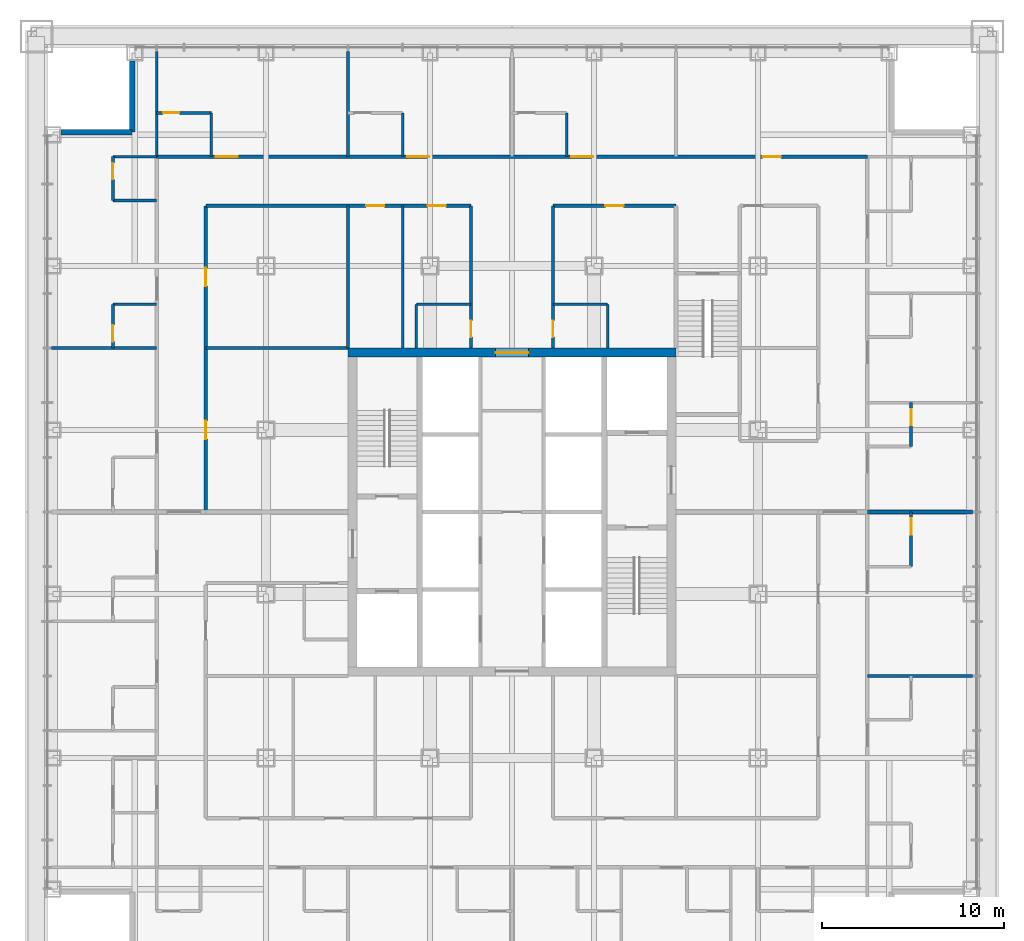
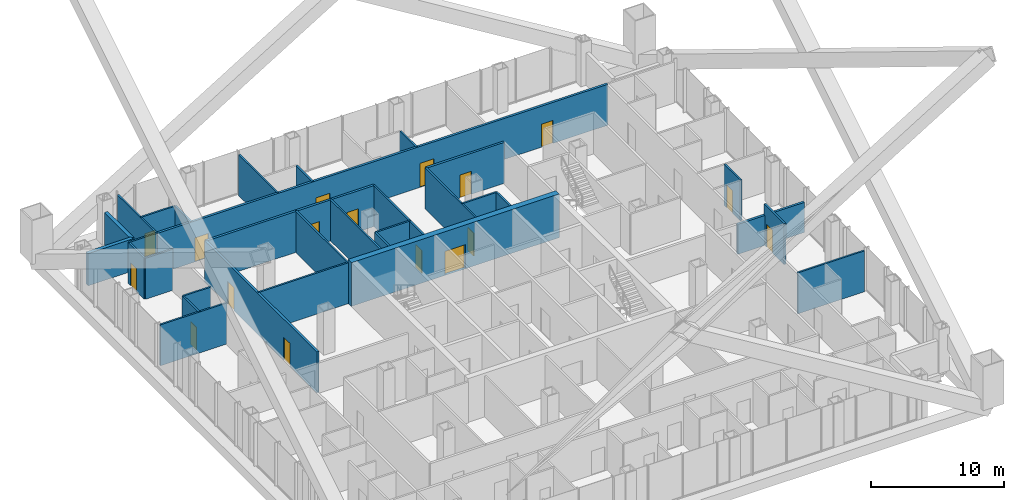
# One storey, part 15 of 21: 32 walls, 17 doors, 17 openings.
"""IFC4 building model written with IfcOpenShell, lengths in metres."""

from ifc_helpers import new_model, si_unit, direction, frame, frame_2d, origin, place, context, subcontext, project, spatial, rectangle, extrude, material, layer, layer_set, type_object, element, fill, save


model = new_model("IFC4")

# Units and contexts
model_context = context("Model", 3, precision=1e-05, world=origin(), true_north=direction((0.0, 1.0)))
body_context = subcontext(model_context, "Body", "Model", "MODEL_VIEW")
ifc_project = project(units=[si_unit("LENGTHUNIT", "METRE"), si_unit("AREAUNIT", "SQUARE_METRE"), si_unit("VOLUMEUNIT", "CUBIC_METRE"), si_unit("PLANEANGLEUNIT", "RADIAN"), si_unit("MASSUNIT", "GRAM", prefix="KILO")], contexts=[model_context])

# Site, building, storey
site_placement = place(None, origin())
site = spatial("IfcSite", under=ifc_project, at=site_placement, CompositionType="ELEMENT")
building_placement = place(site_placement, origin())
building = spatial("IfcBuilding", under=site, at=building_placement, Name="Malebo Sky Hospital", CompositionType="ELEMENT")
storey_placement = place(building_placement, frame((0.0, 0.0, 31.0)))
storey = spatial("IfcBuildingStorey", under=building, at=storey_placement, Name="L06", CompositionType="ELEMENT", Elevation=31.0)

# Wall, opening, door
ifc_material_1 = material(Name="Concrete C80/95", Category="concrete")
ifc_layer_1 = layer(ifc_material_1, 0.5)
ifc_layer_set_1 = layer_set([ifc_layer_1], Name="CORE WALL 500")
wall_type_1 = type_object("IfcWallType", Name="CORE WALL 500", PredefinedType="SHEAR", material=ifc_layer_set_1)
wall_1_placement = place(storey_placement, frame((51.0, 70.75, 0.0), z_axis=(0.0, 0.0, 1.0), x_axis=(1.0, 0.0, 0.0)))
wall_1 = element("IfcWall", 1, at=wall_1_placement, inside=storey, type_object=wall_type_1, Name="Core wall N L06", PredefinedType="SHEAR", context=body_context, shape_type="SweptSolid", body=[
    extrude(rectangle(XDim=18.0, YDim=0.5, at=frame_2d((9.0, 0.0))), origin(), (0.0, 0.0, 1.0), 4.0),
])
opening_1_placement = place(wall_1_placement, frame((8.10009765625, 0.0, 0.0)))
opening_1 = element("IfcOpeningElement", 2, at=opening_1_placement, cuts=wall_1, Name="Opening D06", PredefinedType="OPENING", context=body_context, shape_type="SweptSolid", body=[
    extrude(rectangle(XDim=1.800048828125, YDim=2.199951171875, at=frame_2d((0.89990234375, 1.10009765625))), frame((0.0, 0.260009765625, 0.0), z_axis=(0.0, -1.0, 0.0), x_axis=(1.0, 0.0, 0.0)), (0.0, 0.0, 1.0), 0.52001953125),
])
ifc_material_2 = material(Name="Hardwood-faced door leaf in steel frame", Category="steel")
door_type_1 = type_object("IfcDoorType", Name="LOBBY DOOR PAIR 1800", OperationType="DOUBLE_DOOR_SINGLE_SWING", PredefinedType="DOOR", material=ifc_material_2)
door_1_placement = place(opening_1_placement, origin())
door_1 = element("IfcDoor", 3, at=door_1_placement, inside=storey, type_object=door_type_1, Name="vending room door north", OperationType="DOUBLE_DOOR_SINGLE_SWING", OverallHeight=2.199951171875, OverallWidth=1.800048828125, PredefinedType="DOOR", context=body_context, shape_type="SweptSolid", body=[
    extrude(rectangle(XDim=1.800048828125, YDim=2.199951171875, at=frame_2d((0.89990234375, 1.10009765625))), frame((0.0, 0.02490234375, 0.0), z_axis=(0.0, -1.0, 0.0), x_axis=(1.0, 0.0, 0.0)), (0.0, 0.0, 1.0), 0.050048828125),
])
fill(opening_1, door_1)

# Wall, openings, doors
ifc_material_3 = material(Name="Gypsum board on steel studs", Category="steel")
ifc_layer_2 = layer(ifc_material_3, 0.199951171875)
ifc_layer_set_2 = layer_set([ifc_layer_2], Name="CORRIDOR WALL 200")
wall_type_2 = type_object("IfcWallType", Name="CORRIDOR WALL 200", PredefinedType="PARTITIONING", material=ifc_layer_set_2)
wall_2_placement = place(storey_placement, frame((40.5, 81.5, 0.0), z_axis=(0.0, 0.0, 1.0), x_axis=(1.0, 0.0, 0.0)))
wall_2 = element("IfcWall", 4, at=wall_2_placement, inside=storey, type_object=wall_type_2, Name="Corridor Wall 200 NCO", PredefinedType="PARTITIONING", context=body_context, shape_type="SweptSolid", body=[
    extrude(rectangle(XDim=39.0, YDim=0.199951171875, at=frame_2d((19.5, 0.0))), origin(), (0.0, 0.0, 1.0), 3.75),
])
opening_2_placement = place(wall_2_placement, frame((3.25, 0.0, 0.0)))
opening_2 = element("IfcOpeningElement", 5, at=opening_2_placement, cuts=wall_2, Name="Opening D01", PredefinedType="OPENING", context=body_context, shape_type="SweptSolid", body=[
    extrude(rectangle(XDim=1.199951171875, YDim=2.199951171875, at=frame_2d((0.60009765625, 1.10009765625))), frame((0.0, 0.10986328125, 0.0), z_axis=(0.0, -1.0, 0.0), x_axis=(1.0, 0.0, 0.0)), (0.0, 0.0, 1.0), 0.219970703125),
])
opening_3_placement = place(wall_2_placement, frame((13.75, 0.0, 0.0)))
opening_3 = element("IfcOpeningElement", 6, at=opening_3_placement, cuts=wall_2, Name="Opening D01", PredefinedType="OPENING", context=body_context, shape_type="SweptSolid", body=[
    extrude(rectangle(XDim=1.199951171875, YDim=2.199951171875, at=frame_2d((0.60009765625, 1.10009765625))), frame((0.0, 0.10986328125, 0.0), z_axis=(0.0, -1.0, 0.0), x_axis=(1.0, 0.0, 0.0)), (0.0, 0.0, 1.0), 0.219970703125),
])
opening_4_placement = place(wall_2_placement, frame((22.75, 0.0, 0.0)))
opening_4 = element("IfcOpeningElement", 7, at=opening_4_placement, cuts=wall_2, Name="Opening D01", PredefinedType="OPENING", context=body_context, shape_type="SweptSolid", body=[
    extrude(rectangle(XDim=1.199951171875, YDim=2.199951171875, at=frame_2d((0.60009765625, 1.10009765625))), frame((0.0, 0.10986328125, 0.0), z_axis=(0.0, -1.0, 0.0), x_axis=(1.0, 0.0, 0.0)), (0.0, 0.0, 1.0), 0.219970703125),
])
opening_5_placement = place(wall_2_placement, frame((33.25, 0.0, 0.0)))
opening_5 = element("IfcOpeningElement", 8, at=opening_5_placement, cuts=wall_2, Name="Opening D03", PredefinedType="OPENING", context=body_context, shape_type="SweptSolid", body=[
    extrude(rectangle(XDim=1.0, YDim=2.10009765625, at=frame_2d((0.5, 1.050048828125))), frame((0.0, 0.10986328125, 0.0), z_axis=(0.0, -1.0, 0.0), x_axis=(1.0, 0.0, 0.0)), (0.0, 0.0, 1.0), 0.219970703125),
])
door_type_2 = type_object("IfcDoorType", Name="BED DOOR 1200", OperationType="SINGLE_SWING_LEFT", PredefinedType="DOOR", material=ifc_material_2)
door_2_placement = place(opening_2_placement, origin())
door_2 = element("IfcDoor", 9, at=door_2_placement, inside=storey, type_object=door_type_2, Name="Observation bay door", OperationType="SINGLE_SWING_LEFT", OverallHeight=2.199951171875, OverallWidth=1.199951171875, PredefinedType="DOOR", context=body_context, shape_type="SweptSolid", body=[
    extrude(rectangle(XDim=1.199951171875, YDim=2.199951171875, at=frame_2d((0.60009765625, 1.10009765625))), frame((0.0, 0.02490234375, 0.0), z_axis=(0.0, -1.0, 0.0), x_axis=(1.0, 0.0, 0.0)), (0.0, 0.0, 1.0), 0.050048828125),
])
fill(opening_2, door_2)
door_3_placement = place(opening_3_placement, origin())
door_3 = element("IfcDoor", 10, at=door_3_placement, inside=storey, type_object=door_type_2, Name="Two-bed room door", OperationType="SINGLE_SWING_LEFT", OverallHeight=2.199951171875, OverallWidth=1.199951171875, PredefinedType="DOOR", context=body_context, shape_type="SweptSolid", body=[
    extrude(rectangle(XDim=1.199951171875, YDim=2.199951171875, at=frame_2d((0.60009765625, 1.10009765625))), frame((0.0, 0.02490234375, 0.0), z_axis=(0.0, -1.0, 0.0), x_axis=(1.0, 0.0, 0.0)), (0.0, 0.0, 1.0), 0.050048828125),
])
fill(opening_3, door_3)
door_4_placement = place(opening_4_placement, origin())
door_4 = element("IfcDoor", 11, at=door_4_placement, inside=storey, type_object=door_type_2, Name="Two-bed room door", OperationType="SINGLE_SWING_LEFT", OverallHeight=2.199951171875, OverallWidth=1.199951171875, PredefinedType="DOOR", context=body_context, shape_type="SweptSolid", body=[
    extrude(rectangle(XDim=1.199951171875, YDim=2.199951171875, at=frame_2d((0.60009765625, 1.10009765625))), frame((0.0, 0.02490234375, 0.0), z_axis=(0.0, -1.0, 0.0), x_axis=(1.0, 0.0, 0.0)), (0.0, 0.0, 1.0), 0.050048828125),
])
fill(opening_4, door_4)
door_type_3 = type_object("IfcDoorType", Name="ROOM DOOR 1000", OperationType="SINGLE_SWING_LEFT", PredefinedType="DOOR", material=ifc_material_2)
door_5_placement = place(opening_5_placement, origin())
door_5 = element("IfcDoor", 12, at=door_5_placement, inside=storey, type_object=door_type_3, Name="Patient day room door", OperationType="SINGLE_SWING_RIGHT", OverallHeight=2.10009765625, OverallWidth=1.0, PredefinedType="DOOR", context=body_context, shape_type="SweptSolid", body=[
    extrude(rectangle(XDim=1.0, YDim=2.10009765625, at=frame_2d((0.5, 1.050048828125))), frame((0.0, 0.02490234375, 0.0), z_axis=(0.0, -1.0, 0.0), x_axis=(1.0, 0.0, 0.0)), (0.0, 0.0, 1.0), 0.050048828125),
])
fill(opening_5, door_5)

wall_3_placement = place(storey_placement, frame((43.199951171875, 78.800048828125, 0.0), z_axis=(0.0, 0.0, 1.0), x_axis=(1.0, 0.0, 0.0)))
wall_3 = element("IfcWall", 13, at=wall_3_placement, inside=storey, type_object=wall_type_2, Name="Corridor Wall 200 NCI1", PredefinedType="PARTITIONING", context=body_context, shape_type="SweptSolid", body=[
    extrude(rectangle(XDim=14.550048828125, YDim=0.199951171875, at=frame_2d((7.27490234375, 0.0))), origin(), (0.0, 0.0, 1.0), 3.75),
])
opening_6_placement = place(wall_3_placement, frame((8.800048828125, 0.0, 0.0)))
opening_6 = element("IfcOpeningElement", 14, at=opening_6_placement, cuts=wall_3, Name="Opening D03", PredefinedType="OPENING", context=body_context, shape_type="SweptSolid", body=[
    extrude(rectangle(XDim=1.0, YDim=2.10009765625, at=frame_2d((0.5, 1.050048828125))), frame((0.0, 0.10986328125, 0.0), z_axis=(0.0, -1.0, 0.0), x_axis=(1.0, 0.0, 0.0)), (0.0, 0.0, 1.0), 0.219970703125),
])
opening_7_placement = place(wall_3_placement, frame((12.175048828125, 0.0, 0.0)))
opening_7 = element("IfcOpeningElement", 15, at=opening_7_placement, cuts=wall_3, Name="Opening D03", PredefinedType="OPENING", context=body_context, shape_type="SweptSolid", body=[
    extrude(rectangle(XDim=1.0, YDim=2.10009765625, at=frame_2d((0.5, 1.050048828125))), frame((0.0, 0.10986328125, 0.0), z_axis=(0.0, -1.0, 0.0), x_axis=(1.0, 0.0, 0.0)), (0.0, 0.0, 1.0), 0.219970703125),
])
door_6_placement = place(opening_6_placement, origin())
door_6 = element("IfcDoor", 16, at=door_6_placement, inside=storey, type_object=door_type_3, Name="Medication room door", OperationType="SINGLE_SWING_LEFT", OverallHeight=2.10009765625, OverallWidth=1.0, PredefinedType="DOOR", context=body_context, shape_type="SweptSolid", body=[
    extrude(rectangle(XDim=1.0, YDim=2.10009765625, at=frame_2d((0.5, 1.050048828125))), frame((0.0, 0.02490234375, 0.0), z_axis=(0.0, -1.0, 0.0), x_axis=(1.0, 0.0, 0.0)), (0.0, 0.0, 1.0), 0.050048828125),
])
fill(opening_6, door_6)
door_7_placement = place(opening_7_placement, origin())
door_7 = element("IfcDoor", 17, at=door_7_placement, inside=storey, type_object=door_type_3, Name="Linen store door", OperationType="SINGLE_SWING_LEFT", OverallHeight=2.10009765625, OverallWidth=1.0, PredefinedType="DOOR", context=body_context, shape_type="SweptSolid", body=[
    extrude(rectangle(XDim=1.0, YDim=2.10009765625, at=frame_2d((0.5, 1.050048828125))), frame((0.0, 0.02490234375, 0.0), z_axis=(0.0, -1.0, 0.0), x_axis=(1.0, 0.0, 0.0)), (0.0, 0.0, 1.0), 0.050048828125),
])
fill(opening_7, door_7)

# Wall, opening, door
wall_4_placement = place(storey_placement, frame((62.25, 78.800048828125, 0.0), z_axis=(0.0, 0.0, 1.0), x_axis=(1.0, 0.0, 0.0)))
wall_4 = element("IfcWall", 18, at=wall_4_placement, inside=storey, type_object=wall_type_2, Name="Corridor Wall 200 NCI2", PredefinedType="PARTITIONING", context=body_context, shape_type="SweptSolid", body=[
    extrude(rectangle(XDim=6.75, YDim=0.199951171875, at=frame_2d((3.375, 0.0))), origin(), (0.0, 0.0, 1.0), 3.75),
])
opening_8_placement = place(wall_4_placement, frame((2.875, 0.0, 0.0)))
opening_8 = element("IfcOpeningElement", 19, at=opening_8_placement, cuts=wall_4, Name="Opening D03", PredefinedType="OPENING", context=body_context, shape_type="SweptSolid", body=[
    extrude(rectangle(XDim=1.0, YDim=2.10009765625, at=frame_2d((0.5, 1.050048828125))), frame((0.0, 0.10986328125, 0.0), z_axis=(0.0, -1.0, 0.0), x_axis=(1.0, 0.0, 0.0)), (0.0, 0.0, 1.0), 0.219970703125),
])
door_8_placement = place(opening_8_placement, origin())
door_8 = element("IfcDoor", 20, at=door_8_placement, inside=storey, type_object=door_type_3, Name="Patient assessment room door", OperationType="SINGLE_SWING_RIGHT", OverallHeight=2.10009765625, OverallWidth=1.0, PredefinedType="DOOR", context=body_context, shape_type="SweptSolid", body=[
    extrude(rectangle(XDim=1.0, YDim=2.10009765625, at=frame_2d((0.5, 1.050048828125))), frame((0.0, 0.02490234375, 0.0), z_axis=(0.0, -1.0, 0.0), x_axis=(1.0, 0.0, 0.0)), (0.0, 0.0, 1.0), 0.050048828125),
])
fill(opening_8, door_8)

# Wall, openings, doors
wall_5_placement = place(storey_placement, frame((43.199951171875, 62.0, 0.0), z_axis=(0.0, 0.0, 1.0), x_axis=(0.0, 1.0, 0.0)))
wall_5 = element("IfcWall", 21, at=wall_5_placement, inside=storey, type_object=wall_type_2, Name="Corridor Wall 200 WCI2", PredefinedType="PARTITIONING", context=body_context, shape_type="SweptSolid", body=[
    extrude(rectangle(XDim=16.800048828125, YDim=0.199951171875, at=frame_2d((8.39990234375, 0.0))), origin(), (0.0, 0.0, 1.0), 3.75),
])
opening_9_placement = place(wall_5_placement, frame((4.0, 0.0, 0.0)))
opening_9 = element("IfcOpeningElement", 22, at=opening_9_placement, cuts=wall_5, Name="Opening D03", PredefinedType="OPENING", context=body_context, shape_type="SweptSolid", body=[
    extrude(rectangle(XDim=1.0, YDim=2.10009765625, at=frame_2d((0.5, 1.050048828125))), frame((0.0, 0.10986328125, 0.0), z_axis=(0.0, -1.0, 0.0), x_axis=(1.0, 0.0, 0.0)), (0.0, 0.0, 1.0), 0.219970703125),
])
opening_10_placement = place(wall_5_placement, frame((12.39990234375, 0.0, 0.0)))
opening_10 = element("IfcOpeningElement", 23, at=opening_10_placement, cuts=wall_5, Name="Opening D03", PredefinedType="OPENING", context=body_context, shape_type="SweptSolid", body=[
    extrude(rectangle(XDim=1.0, YDim=2.10009765625, at=frame_2d((0.5, 1.050048828125))), frame((0.0, 0.10986328125, 0.0), z_axis=(0.0, -1.0, 0.0), x_axis=(1.0, 0.0, 0.0)), (0.0, 0.0, 1.0), 0.219970703125),
])
door_9_placement = place(opening_9_placement, origin())
door_9 = element("IfcDoor", 24, at=door_9_placement, inside=storey, type_object=door_type_3, Name="Nurse station door", OperationType="SINGLE_SWING_LEFT", OverallHeight=2.10009765625, OverallWidth=1.0, PredefinedType="DOOR", context=body_context, shape_type="SweptSolid", body=[
    extrude(rectangle(XDim=1.0, YDim=2.10009765625, at=frame_2d((0.5, 1.050048828125))), frame((0.0, 0.02490234375, 0.0), z_axis=(0.0, -1.0, 0.0), x_axis=(1.0, 0.0, 0.0)), (0.0, 0.0, 1.0), 0.050048828125),
])
fill(opening_9, door_9)
door_10_placement = place(opening_10_placement, origin())
door_10 = element("IfcDoor", 25, at=door_10_placement, inside=storey, type_object=door_type_3, Name="Consulting room door", OperationType="SINGLE_SWING_RIGHT", OverallHeight=2.10009765625, OverallWidth=1.0, PredefinedType="DOOR", context=body_context, shape_type="SweptSolid", body=[
    extrude(rectangle(XDim=1.0, YDim=2.10009765625, at=frame_2d((0.5, 1.050048828125))), frame((0.0, 0.02490234375, 0.0), z_axis=(0.0, -1.0, 0.0), x_axis=(1.0, 0.0, 0.0)), (0.0, 0.0, 1.0), 0.050048828125),
])
fill(opening_10, door_10)

# Walls
ifc_material_4 = material(Name="Anodised aluminium rainscreen on steel framing", Category="steel")
ifc_layer_3 = layer(ifc_material_4, 0.300048828125)
ifc_layer_set_3 = layer_set([ifc_layer_3], Name="NOTCH RAINSCREEN WALL 300")
wall_type_3 = type_object("IfcWallType", Name="NOTCH RAINSCREEN WALL 300", PredefinedType="ELEMENTEDWALL", material=ifc_layer_set_3)
for number, where, z_axis, x_axis, name in (
    (26, (35.25, 82.85009765625, 0.0), (0.0, 0.0, 1.0), (1.0, 0.0, 0.0), "Notch rainscreen wall W1 L06"),
    (27, (39.14990234375, 82.85009765625, 0.0), (0.0, 0.0, 1.0), (0.0, 1.0, 0.0), "Notch rainscreen wall W2 L06"),
):
    element("IfcWall", number, at=place(storey_placement, frame(where, z_axis=z_axis, x_axis=x_axis)), inside=storey, type_object=wall_type_3, Name=name, PredefinedType="ELEMENTEDWALL", context=body_context, shape_type="SweptSolid", body=[
        extrude(rectangle(XDim=3.89990234375, YDim=0.300048828125, at=frame_2d((1.949951171875, 0.0))), origin(), (0.0, 0.0, 1.0), 2.949951171875),
    ])
ifc_layer_4 = layer(ifc_material_3, 0.14990234375)
ifc_layer_set_4 = layer_set([ifc_layer_4], Name="PARTITION 150")
wall_type_4 = type_object("IfcWallType", Name="PARTITION 150", PredefinedType="PARTITIONING", material=ifc_layer_set_4)
for number, where, z_axis, x_axis, name in (
    (28, (51.0, 81.5, 0.0), (0.0, 0.0, 1.0), (0.0, 1.0, 0.0), "Partition 150 NP-9.0"),
    (29, (40.5, 81.5, 0.0), (0.0, 0.0, 1.0), (0.0, 1.0, 0.0), "Partition 150 NP0"),
):
    element("IfcWall", number, at=place(storey_placement, frame(where, z_axis=z_axis, x_axis=x_axis)), inside=storey, type_object=wall_type_4, Name=name, PredefinedType="PARTITIONING", context=body_context, shape_type="SweptSolid", body=[
        extrude(rectangle(XDim=5.77490234375, YDim=0.14990234375, at=frame_2d((2.887451171875, 0.0))), origin(), (0.0, 0.0, 1.0), 3.75),
    ])

# Wall, opening, door
wall_6_placement = place(storey_placement, frame((40.5, 83.89990234375, 0.0), z_axis=(0.0, 0.0, 1.0), x_axis=(1.0, 0.0, 0.0)))
wall_6 = element("IfcWall", 30, at=wall_6_placement, inside=storey, type_object=wall_type_4, Name="Partition 150 NE0F", PredefinedType="PARTITIONING", context=body_context, shape_type="SweptSolid", body=[
    extrude(rectangle(XDim=3.0, YDim=0.14990234375, at=frame_2d((1.5, 0.0))), origin(), (0.0, 0.0, 1.0), 3.75),
])
opening_11_placement = place(wall_6_placement, frame((0.35009765625, 0.0, 0.0)))
opening_11 = element("IfcOpeningElement", 31, at=opening_11_placement, cuts=wall_6, Name="Opening D02", PredefinedType="OPENING", context=body_context, shape_type="SweptSolid", body=[
    extrude(rectangle(XDim=0.89990234375, YDim=2.10009765625, at=frame_2d((0.449951171875, 1.050048828125))), frame((0.0, 0.0849609375, 0.0), z_axis=(0.0, -1.0, 0.0), x_axis=(1.0, 0.0, 0.0)), (0.0, 0.0, 1.0), 0.169921875),
])
door_type_4 = type_object("IfcDoorType", Name="EN-SUITE DOOR 900", OperationType="SINGLE_SWING_LEFT", PredefinedType="DOOR", material=ifc_material_2)
door_11_placement = place(opening_11_placement, origin())
door_11 = element("IfcDoor", 32, at=door_11_placement, inside=storey, type_object=door_type_4, Name="En-suite door", OperationType="SINGLE_SWING_LEFT", OverallHeight=2.10009765625, OverallWidth=0.89990234375, PredefinedType="DOOR", context=body_context, shape_type="SweptSolid", body=[
    extrude(rectangle(XDim=0.89990234375, YDim=2.10009765625, at=frame_2d((0.449951171875, 1.050048828125))), frame((0.0, 0.02490234375, 0.0), z_axis=(0.0, -1.0, 0.0), x_axis=(1.0, 0.0, 0.0)), (0.0, 0.0, 1.0), 0.050048828125),
])
fill(opening_11, door_11)

# Walls
for number, where, z_axis, x_axis, name in (
    (33, (43.5, 81.5, 0.0), (0.0, 0.0, 1.0), (0.0, 1.0, 0.0), "Partition 150 NE0S"),
    (34, (54.0, 81.5, 0.0), (0.0, 0.0, 1.0), (0.0, 1.0, 0.0), "Partition 150 NE1S"),
    (35, (63.0, 81.5, 0.0), (0.0, 0.0, 1.0), (0.0, 1.0, 0.0), "Partition 150 NE2S"),
):
    element("IfcWall", number, at=place(storey_placement, frame(where, z_axis=z_axis, x_axis=x_axis)), inside=storey, type_object=wall_type_4, Name=name, PredefinedType="PARTITIONING", context=body_context, shape_type="SweptSolid", body=[
        extrude(rectangle(XDim=2.39990234375, YDim=0.14990234375, at=frame_2d((1.199951171875, 0.0))), origin(), (0.0, 0.0, 1.0), 3.75),
    ])
wall_7_placement = place(storey_placement, frame((51.0, 71.0, 0.0), z_axis=(0.0, 0.0, 1.0), x_axis=(0.0, 1.0, 0.0)))
element("IfcWall", 36, at=wall_7_placement, inside=storey, type_object=wall_type_4, Name="Partition 150 NSP0", PredefinedType="PARTITIONING", context=body_context, shape_type="SweptSolid", body=[
    extrude(rectangle(XDim=7.800048828125, YDim=0.14990234375, at=frame_2d((3.89990234375, 0.0))), origin(), (0.0, 0.0, 1.0), 3.75),
])

# Wall, opening, door
wall_8_placement = place(storey_placement, frame((57.75, 71.0, 0.0), z_axis=(0.0, 0.0, 1.0), x_axis=(0.0, 1.0, 0.0)))
wall_8 = element("IfcWall", 37, at=wall_8_placement, inside=storey, type_object=wall_type_4, Name="Partition 150 NSPA", PredefinedType="PARTITIONING", context=body_context, shape_type="SweptSolid", body=[
    extrude(rectangle(XDim=7.800048828125, YDim=0.14990234375, at=frame_2d((3.89990234375, 0.0))), origin(), (0.0, 0.0, 1.0), 3.75),
])
opening_12_placement = place(wall_8_placement, frame((0.60009765625, 0.0, 0.0)))
opening_12 = element("IfcOpeningElement", 38, at=opening_12_placement, cuts=wall_8, Name="Opening D04", PredefinedType="OPENING", context=body_context, shape_type="SweptSolid", body=[
    extrude(rectangle(XDim=0.89990234375, YDim=2.10009765625, at=frame_2d((0.449951171875, 1.050048828125))), frame((0.0, 0.0849609375, 0.0), z_axis=(0.0, -1.0, 0.0), x_axis=(1.0, 0.0, 0.0)), (0.0, 0.0, 1.0), 0.169921875),
])
door_type_5 = type_object("IfcDoorType", Name="ROOM DOOR 900", OperationType="SINGLE_SWING_LEFT", PredefinedType="DOOR", material=ifc_material_2)
door_12_placement = place(opening_12_placement, origin())
door_12 = element("IfcDoor", 39, at=door_12_placement, inside=storey, type_object=door_type_5, Name="Staff WC door", OperationType="SINGLE_SWING_LEFT", OverallHeight=2.10009765625, OverallWidth=0.89990234375, PredefinedType="DOOR", context=body_context, shape_type="SweptSolid", body=[
    extrude(rectangle(XDim=0.89990234375, YDim=2.10009765625, at=frame_2d((0.449951171875, 1.050048828125))), frame((0.0, 0.02490234375, 0.0), z_axis=(0.0, -1.0, 0.0), x_axis=(1.0, 0.0, 0.0)), (0.0, 0.0, 1.0), 0.050048828125),
])
fill(opening_12, door_12)

wall_9_placement = place(storey_placement, frame((62.25, 71.0, 0.0), z_axis=(0.0, 0.0, 1.0), x_axis=(0.0, 1.0, 0.0)))
wall_9 = element("IfcWall", 40, at=wall_9_placement, inside=storey, type_object=wall_type_4, Name="Partition 150 NSPB", PredefinedType="PARTITIONING", context=body_context, shape_type="SweptSolid", body=[
    extrude(rectangle(XDim=7.800048828125, YDim=0.14990234375, at=frame_2d((3.89990234375, 0.0))), origin(), (0.0, 0.0, 1.0), 3.75),
])
opening_13_placement = place(wall_9_placement, frame((0.60009765625, 0.0, 0.0)))
opening_13 = element("IfcOpeningElement", 41, at=opening_13_placement, cuts=wall_9, Name="Opening D04", PredefinedType="OPENING", context=body_context, shape_type="SweptSolid", body=[
    extrude(rectangle(XDim=0.89990234375, YDim=2.10009765625, at=frame_2d((0.449951171875, 1.050048828125))), frame((0.0, 0.0849609375, 0.0), z_axis=(0.0, -1.0, 0.0), x_axis=(1.0, 0.0, 0.0)), (0.0, 0.0, 1.0), 0.169921875),
])
door_13_placement = place(opening_13_placement, origin())
door_13 = element("IfcDoor", 42, at=door_13_placement, inside=storey, type_object=door_type_5, Name="Accessible WC door", OperationType="SINGLE_SWING_LEFT", OverallHeight=2.10009765625, OverallWidth=0.89990234375, PredefinedType="DOOR", context=body_context, shape_type="SweptSolid", body=[
    extrude(rectangle(XDim=0.89990234375, YDim=2.10009765625, at=frame_2d((0.449951171875, 1.050048828125))), frame((0.0, 0.02490234375, 0.0), z_axis=(0.0, -1.0, 0.0), x_axis=(1.0, 0.0, 0.0)), (0.0, 0.0, 1.0), 0.050048828125),
])
fill(opening_13, door_13)

# Walls
wall_10_placement = place(storey_placement, frame((54.0, 71.0, 0.0), z_axis=(0.0, 0.0, 1.0), x_axis=(0.0, 1.0, 0.0)))
element("IfcWall", 43, at=wall_10_placement, inside=storey, type_object=wall_type_4, Name="Partition 150 NSP-6.0", PredefinedType="PARTITIONING", context=body_context, shape_type="SweptSolid", body=[
    extrude(rectangle(XDim=7.800048828125, YDim=0.14990234375, at=frame_2d((3.89990234375, 0.0))), origin(), (0.0, 0.0, 1.0), 3.75),
])
wall_11_placement = place(storey_placement, frame((54.75, 73.39990234375, 0.0), z_axis=(0.0, 0.0, 1.0), x_axis=(1.0, 0.0, 0.0)))
element("IfcWall", 44, at=wall_11_placement, inside=storey, type_object=wall_type_4, Name="Partition 150 NSX1", PredefinedType="PARTITIONING", context=body_context, shape_type="SweptSolid", body=[
    extrude(rectangle(XDim=3.0, YDim=0.14990234375, at=frame_2d((1.5, 0.0))), origin(), (0.0, 0.0, 1.0), 3.75),
])
wall_12_placement = place(storey_placement, frame((54.75, 71.0, 0.0), z_axis=(0.0, 0.0, 1.0), x_axis=(0.0, 1.0, 0.0)))
element("IfcWall", 45, at=wall_12_placement, inside=storey, type_object=wall_type_4, Name="Partition 150 NSY1", PredefinedType="PARTITIONING", context=body_context, shape_type="SweptSolid", body=[
    extrude(rectangle(XDim=2.39990234375, YDim=0.14990234375, at=frame_2d((1.199951171875, 0.0))), origin(), (0.0, 0.0, 1.0), 3.75),
])
wall_13_placement = place(storey_placement, frame((62.25, 73.39990234375, 0.0), z_axis=(0.0, 0.0, 1.0), x_axis=(1.0, 0.0, 0.0)))
element("IfcWall", 46, at=wall_13_placement, inside=storey, type_object=wall_type_4, Name="Partition 150 NSX2", PredefinedType="PARTITIONING", context=body_context, shape_type="SweptSolid", body=[
    extrude(rectangle(XDim=3.0, YDim=0.14990234375, at=frame_2d((1.5, 0.0))), origin(), (0.0, 0.0, 1.0), 3.75),
])
wall_14_placement = place(storey_placement, frame((65.25, 71.0, 0.0), z_axis=(0.0, 0.0, 1.0), x_axis=(0.0, 1.0, 0.0)))
element("IfcWall", 47, at=wall_14_placement, inside=storey, type_object=wall_type_4, Name="Partition 150 NSY2", PredefinedType="PARTITIONING", context=body_context, shape_type="SweptSolid", body=[
    extrude(rectangle(XDim=2.39990234375, YDim=0.14990234375, at=frame_2d((1.199951171875, 0.0))), origin(), (0.0, 0.0, 1.0), 3.75),
])
wall_15_placement = place(storey_placement, frame((40.5, 71.0, 0.0), z_axis=(0.0, 0.0, 1.0), x_axis=(-1.0, 0.0, 0.0)))
element("IfcWall", 48, at=wall_15_placement, inside=storey, type_object=wall_type_4, Name="Partition 150 WP+9.0", PredefinedType="PARTITIONING", context=body_context, shape_type="SweptSolid", body=[
    extrude(rectangle(XDim=5.77490234375, YDim=0.14990234375, at=frame_2d((2.887451171875, 0.0))), origin(), (0.0, 0.0, 1.0), 3.75),
])

# Wall, opening, door
wall_16_placement = place(storey_placement, frame((38.10009765625, 71.0, 0.0), z_axis=(0.0, 0.0, 1.0), x_axis=(0.0, 1.0, 0.0)))
wall_16 = element("IfcWall", 49, at=wall_16_placement, inside=storey, type_object=wall_type_4, Name="Partition 150 WE4F", PredefinedType="PARTITIONING", context=body_context, shape_type="SweptSolid", body=[
    extrude(rectangle(XDim=2.39990234375, YDim=0.14990234375, at=frame_2d((1.199951171875, 0.0))), origin(), (0.0, 0.0, 1.0), 3.75),
])
opening_14_placement = place(wall_16_placement, frame((0.35009765625, 0.0, 0.0)))
opening_14 = element("IfcOpeningElement", 50, at=opening_14_placement, cuts=wall_16, Name="Opening D02", PredefinedType="OPENING", context=body_context, shape_type="SweptSolid", body=[
    extrude(rectangle(XDim=0.89990234375, YDim=2.10009765625, at=frame_2d((0.449951171875, 1.050048828125))), frame((0.0, 0.0849609375, 0.0), z_axis=(0.0, -1.0, 0.0), x_axis=(1.0, 0.0, 0.0)), (0.0, 0.0, 1.0), 0.169921875),
])
door_14_placement = place(opening_14_placement, origin())
door_14 = element("IfcDoor", 51, at=door_14_placement, inside=storey, type_object=door_type_4, Name="En-suite door", OperationType="SINGLE_SWING_LEFT", OverallHeight=2.10009765625, OverallWidth=0.89990234375, PredefinedType="DOOR", context=body_context, shape_type="SweptSolid", body=[
    extrude(rectangle(XDim=0.89990234375, YDim=2.10009765625, at=frame_2d((0.449951171875, 1.050048828125))), frame((0.0, 0.02490234375, 0.0), z_axis=(0.0, -1.0, 0.0), x_axis=(1.0, 0.0, 0.0)), (0.0, 0.0, 1.0), 0.050048828125),
])
fill(opening_14, door_14)

# Wall
wall_17_placement = place(storey_placement, frame((40.5, 73.39990234375, 0.0), z_axis=(0.0, 0.0, 1.0), x_axis=(-1.0, 0.0, 0.0)))
element("IfcWall", 52, at=wall_17_placement, inside=storey, type_object=wall_type_4, Name="Partition 150 WE4S", PredefinedType="PARTITIONING", context=body_context, shape_type="SweptSolid", body=[
    extrude(rectangle(XDim=2.39990234375, YDim=0.14990234375, at=frame_2d((1.199951171875, 0.0))), origin(), (0.0, 0.0, 1.0), 3.75),
])

# Wall, opening, door
wall_18_placement = place(storey_placement, frame((38.10009765625, 79.10009765625, 0.0), z_axis=(0.0, 0.0, 1.0), x_axis=(0.0, 1.0, 0.0)))
wall_18 = element("IfcWall", 53, at=wall_18_placement, inside=storey, type_object=wall_type_4, Name="Partition 150 WG4F", PredefinedType="PARTITIONING", context=body_context, shape_type="SweptSolid", body=[
    extrude(rectangle(XDim=2.39990234375, YDim=0.14990234375, at=frame_2d((1.199951171875, 0.0))), origin(), (0.0, 0.0, 1.0), 3.75),
])
opening_15_placement = place(wall_18_placement, frame((1.14990234375, 0.0, 0.0)))
opening_15 = element("IfcOpeningElement", 54, at=opening_15_placement, cuts=wall_18, Name="Opening D02", PredefinedType="OPENING", context=body_context, shape_type="SweptSolid", body=[
    extrude(rectangle(XDim=0.89990234375, YDim=2.10009765625, at=frame_2d((0.449951171875, 1.050048828125))), frame((0.0, 0.0849609375, 0.0), z_axis=(0.0, -1.0, 0.0), x_axis=(1.0, 0.0, 0.0)), (0.0, 0.0, 1.0), 0.169921875),
])
door_15_placement = place(opening_15_placement, origin())
door_15 = element("IfcDoor", 55, at=door_15_placement, inside=storey, type_object=door_type_4, Name="En-suite door", OperationType="SINGLE_SWING_RIGHT", OverallHeight=2.10009765625, OverallWidth=0.89990234375, PredefinedType="DOOR", context=body_context, shape_type="SweptSolid", body=[
    extrude(rectangle(XDim=0.89990234375, YDim=2.10009765625, at=frame_2d((0.449951171875, 1.050048828125))), frame((0.0, 0.02490234375, 0.0), z_axis=(0.0, -1.0, 0.0), x_axis=(1.0, 0.0, 0.0)), (0.0, 0.0, 1.0), 0.050048828125),
])
fill(opening_15, door_15)

# Walls
for number, where, z_axis, x_axis, name in (
    (56, (40.5, 79.10009765625, 0.0), (0.0, 0.0, 1.0), (-1.0, 0.0, 0.0), "Partition 150 WG4S"),
    (57, (40.5, 81.5, 0.0), (0.0, 0.0, 1.0), (-1.0, 0.0, 0.0), "Partition 150 WEZ"),
):
    element("IfcWall", number, at=place(storey_placement, frame(where, z_axis=z_axis, x_axis=x_axis)), inside=storey, type_object=wall_type_4, Name=name, PredefinedType="PARTITIONING", context=body_context, shape_type="SweptSolid", body=[
        extrude(rectangle(XDim=2.39990234375, YDim=0.14990234375, at=frame_2d((1.199951171875, 0.0))), origin(), (0.0, 0.0, 1.0), 3.75),
    ])
wall_19_placement = place(storey_placement, frame((51.0, 71.0, 0.0), z_axis=(0.0, 0.0, 1.0), x_axis=(-1.0, 0.0, 0.0)))
element("IfcWall", 58, at=wall_19_placement, inside=storey, type_object=wall_type_4, Name="Partition 150 WSP+9.0", PredefinedType="PARTITIONING", context=body_context, shape_type="SweptSolid", body=[
    extrude(rectangle(XDim=7.800048828125, YDim=0.14990234375, at=frame_2d((3.89990234375, 0.0))), origin(), (0.0, 0.0, 1.0), 3.75),
])
wall_20_placement = place(storey_placement, frame((79.5, 53.0, 0.0), z_axis=(0.0, 0.0, 1.0), x_axis=(1.0, 0.0, 0.0)))
element("IfcWall", 59, at=wall_20_placement, inside=storey, type_object=wall_type_4, Name="Partition 150 EP+9.0", PredefinedType="PARTITIONING", context=body_context, shape_type="SweptSolid", body=[
    extrude(rectangle(XDim=5.77490234375, YDim=0.14990234375, at=frame_2d((2.887451171875, 0.0))), origin(), (0.0, 0.0, 1.0), 3.75),
])

# Wall, opening, door
wall_21_placement = place(storey_placement, frame((81.89990234375, 68.0, 0.0), z_axis=(0.0, 0.0, 1.0), x_axis=(0.0, -1.0, 0.0)))
wall_21 = element("IfcWall", 60, at=wall_21_placement, inside=storey, type_object=wall_type_4, Name="Partition 150 EE2F", PredefinedType="PARTITIONING", context=body_context, shape_type="SweptSolid", body=[
    extrude(rectangle(XDim=2.39990234375, YDim=0.14990234375, at=frame_2d((1.199951171875, 0.0))), origin(), (0.0, 0.0, 1.0), 3.75),
])
opening_16_placement = place(wall_21_placement, frame((0.35009765625, 0.0, 0.0)))
opening_16 = element("IfcOpeningElement", 61, at=opening_16_placement, cuts=wall_21, Name="Opening D02", PredefinedType="OPENING", context=body_context, shape_type="SweptSolid", body=[
    extrude(rectangle(XDim=0.89990234375, YDim=2.10009765625, at=frame_2d((0.449951171875, 1.050048828125))), frame((0.0, 0.0849609375, 0.0), z_axis=(0.0, -1.0, 0.0), x_axis=(1.0, 0.0, 0.0)), (0.0, 0.0, 1.0), 0.169921875),
])
door_16_placement = place(opening_16_placement, origin())
door_16 = element("IfcDoor", 62, at=door_16_placement, inside=storey, type_object=door_type_4, Name="En-suite door", OperationType="SINGLE_SWING_LEFT", OverallHeight=2.10009765625, OverallWidth=0.89990234375, PredefinedType="DOOR", context=body_context, shape_type="SweptSolid", body=[
    extrude(rectangle(XDim=0.89990234375, YDim=2.10009765625, at=frame_2d((0.449951171875, 1.050048828125))), frame((0.0, 0.02490234375, 0.0), z_axis=(0.0, -1.0, 0.0), x_axis=(1.0, 0.0, 0.0)), (0.0, 0.0, 1.0), 0.050048828125),
])
fill(opening_16, door_16)

wall_22_placement = place(storey_placement, frame((81.89990234375, 62.0, 0.0), z_axis=(0.0, 0.0, 1.0), x_axis=(0.0, -1.0, 0.0)))
wall_22 = element("IfcWall", 63, at=wall_22_placement, inside=storey, type_object=wall_type_4, Name="Partition 150 EE3F", PredefinedType="PARTITIONING", context=body_context, shape_type="SweptSolid", body=[
    extrude(rectangle(XDim=3.0, YDim=0.14990234375, at=frame_2d((1.5, 0.0))), origin(), (0.0, 0.0, 1.0), 3.75),
])
opening_17_placement = place(wall_22_placement, frame((0.35009765625, 0.0, 0.0)))
opening_17 = element("IfcOpeningElement", 64, at=opening_17_placement, cuts=wall_22, Name="Opening D02", PredefinedType="OPENING", context=body_context, shape_type="SweptSolid", body=[
    extrude(rectangle(XDim=0.89990234375, YDim=2.10009765625, at=frame_2d((0.449951171875, 1.050048828125))), frame((0.0, 0.0849609375, 0.0), z_axis=(0.0, -1.0, 0.0), x_axis=(1.0, 0.0, 0.0)), (0.0, 0.0, 1.0), 0.169921875),
])
door_17_placement = place(opening_17_placement, origin())
door_17 = element("IfcDoor", 65, at=door_17_placement, inside=storey, type_object=door_type_4, Name="En-suite door", OperationType="SINGLE_SWING_LEFT", OverallHeight=2.10009765625, OverallWidth=0.89990234375, PredefinedType="DOOR", context=body_context, shape_type="SweptSolid", body=[
    extrude(rectangle(XDim=0.89990234375, YDim=2.10009765625, at=frame_2d((0.449951171875, 1.050048828125))), frame((0.0, 0.02490234375, 0.0), z_axis=(0.0, -1.0, 0.0), x_axis=(1.0, 0.0, 0.0)), (0.0, 0.0, 1.0), 0.050048828125),
])
fill(opening_17, door_17)

# Wall
ifc_material_5 = material(Name="Concrete blockwork", Category="masonry")
ifc_layer_5 = layer(ifc_material_5, 0.199951171875)
ifc_layer_set_5 = layer_set([ifc_layer_5], Name="SMOKE BARRIER WALL 200")
wall_type_5 = type_object("IfcWallType", Name="SMOKE BARRIER WALL 200", PredefinedType="SOLIDWALL", material=ifc_layer_set_5)
wall_23_placement = place(storey_placement, frame((79.5, 62.0, 0.0), z_axis=(0.0, 0.0, 1.0), x_axis=(1.0, 0.0, 0.0)))
element("IfcWall", 66, at=wall_23_placement, inside=storey, type_object=wall_type_5, Name="Smoke Barrier Wall 200 EP+0.0", PredefinedType="SOLIDWALL", context=body_context, shape_type="SweptSolid", body=[
    extrude(rectangle(XDim=5.77490234375, YDim=0.199951171875, at=frame_2d((2.887451171875, 0.0))), origin(), (0.0, 0.0, 1.0), 2.75),
])

save(model, "model.ifc")
